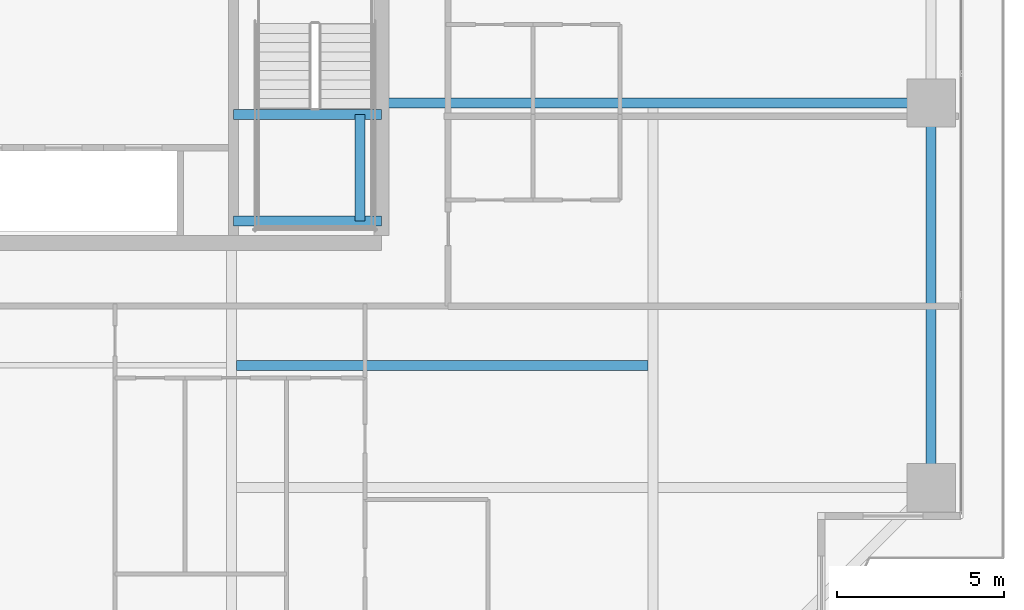
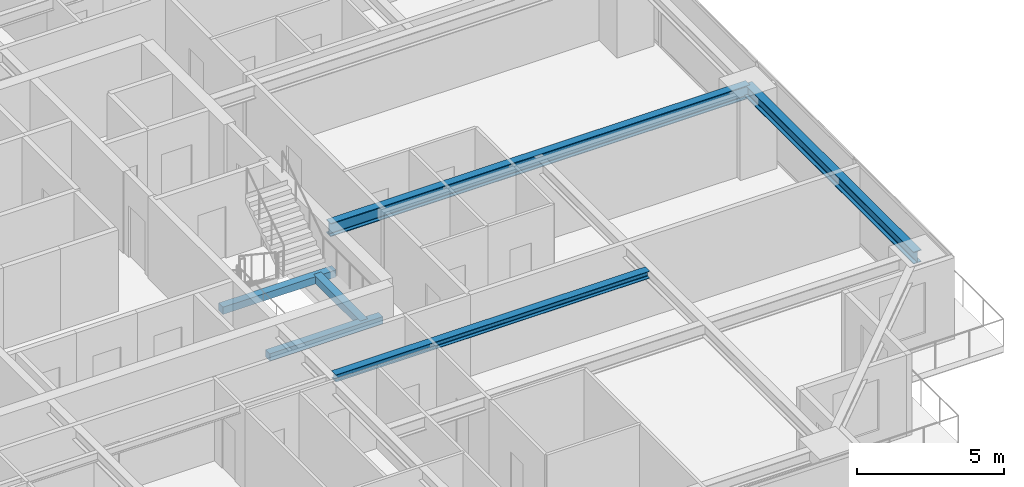
# One storey, part 14 of 40: 6 beams.
"""IFC4 building model written with IfcOpenShell, lengths in metres."""

from ifc_helpers import new_model, si_unit, direction, frame, origin, origin_2d, place, context, subcontext, project, spatial, rectangle, i_section, extrude, source, transform, mapped, material, material_profile, profile_set, type_object, element, save


model = new_model("IFC4")

# Units and contexts
model_context = context("Model", 3, precision=1e-05, world=origin(), true_north=direction((0.0, 1.0)))
body_context = subcontext(model_context, "Body", "Model", "MODEL_VIEW")
ifc_project = project(units=[si_unit("LENGTHUNIT", "METRE"), si_unit("AREAUNIT", "SQUARE_METRE"), si_unit("VOLUMEUNIT", "CUBIC_METRE"), si_unit("PLANEANGLEUNIT", "RADIAN"), si_unit("MASSUNIT", "GRAM", prefix="KILO")], contexts=[model_context])

# Site, building, storey
site_placement = place(None, origin())
site = spatial("IfcSite", under=ifc_project, at=site_placement, CompositionType="ELEMENT")
building_placement = place(site_placement, origin())
building = spatial("IfcBuilding", under=site, at=building_placement, Name="Serunith Strait Residences", CompositionType="ELEMENT")
storey_placement = place(building_placement, frame((0.0, 0.0, 105.449951171875)))
storey = spatial("IfcBuildingStorey", under=building, at=storey_placement, Name="L26", CompositionType="ELEMENT", Elevation=105.449951171875)

# Beams
ifc_material_1 = material(Name="Steel S355J2", Category="steel")
ifc_material_profile_1 = material_profile(ifc_material_1, i_section(OverallWidth=0.300048828125, OverallDepth=0.550048828125, WebThickness=0.014892578125, FlangeThickness=0.029052734375, FilletRadius=0.027099609375, at=origin_2d()), Name="HEB 550")
ifc_profile_set_1 = profile_set([ifc_material_profile_1], Name="Steel S355J2")
beam_type_1 = type_object("IfcBeamType", Name="BM-HEB550", PredefinedType="BEAM", material=ifc_profile_set_1)
shared_shape_1 = source(origin(), body_context, "Body", "SweptSolid", [
    extrude(i_section(OverallWidth=0.300048828125, OverallDepth=0.550048828125, WebThickness=0.014892578125, FlangeThickness=0.029052734375, FilletRadius=0.027099609375, at=origin_2d()), origin(), (0.0, 0.0, 1.0), 16.5),
])
beam_1_placement = place(storey_placement, frame((41.39990234375, 21.0, 3.112060546875), z_axis=(1.0, 0.0, 0.0), x_axis=(0.0, 1.0, 0.0)))
element("IfcBeam", 1, at=beam_1_placement, inside=storey, type_object=beam_type_1, Name="L26 Primary Floor Girder TC-E2", PredefinedType="BEAM", context=body_context, shape_type="MappedRepresentation", body=[
    mapped(shared_shape_1, transform((0.0, 0.0, 0.0), scale=1.0)),
])
ifc_material_profile_2 = material_profile(ifc_material_1, i_section(OverallWidth=0.300048828125, OverallDepth=0.5, WebThickness=0.014404296875, FlangeThickness=0.028076171875, FilletRadius=0.027099609375, at=origin_2d()), Name="HEB 500")
ifc_profile_set_2 = profile_set([ifc_material_profile_2], Name="Steel S355J2")
beam_type_2 = type_object("IfcBeamType", Name="BM-HEB500", PredefinedType="BEAM", material=ifc_profile_set_2)
shared_shape_2 = source(origin(), body_context, "Body", "SweptSolid", [
    extrude(i_section(OverallWidth=0.300048828125, OverallDepth=0.5, WebThickness=0.014404296875, FlangeThickness=0.028076171875, FilletRadius=0.027099609375, at=origin_2d()), origin(), (0.0, 0.0, 1.0), 11.550048828125),
])
beam_2_placement = place(storey_placement, frame((57.89990234375, 9.449951171875, 3.136962890625), z_axis=(0.0, 1.0, 0.0), x_axis=(-1.0, 0.0, 0.0)))
element("IfcBeam", 2, at=beam_2_placement, inside=storey, type_object=beam_type_2, Name="L26 Perimeter Ring Beam 05", PredefinedType="BEAM", context=body_context, shape_type="MappedRepresentation", body=[
    mapped(shared_shape_2, transform((0.0, 0.0, 0.0), scale=1.0)),
])
ifc_material_profile_3 = material_profile(ifc_material_1, i_section(OverallWidth=0.300048828125, OverallDepth=0.300048828125, WebThickness=0.010986328125, FlangeThickness=0.01904296875, FilletRadius=0.027099609375, at=origin_2d()), Name="HEB 300")
ifc_profile_set_3 = profile_set([ifc_material_profile_3], Name="Steel S355J2")
beam_type_3 = type_object("IfcBeamType", Name="BM-HEB300", PredefinedType="JOIST", material=ifc_profile_set_3)
shared_shape_3 = source(origin(), body_context, "Body", "SweptSolid", [
    extrude(i_section(OverallWidth=0.300048828125, OverallDepth=0.300048828125, WebThickness=0.010986328125, FlangeThickness=0.01904296875, FilletRadius=0.027099609375, at=origin_2d()), origin(), (0.0, 0.0, 1.0), 12.349853515625),
])
beam_3_placement = place(storey_placement, frame((37.050048828125, 13.125, 3.237060546875), z_axis=(1.0, 0.0, 0.0), x_axis=(0.0, 1.0, 0.0)))
element("IfcBeam", 3, at=beam_3_placement, inside=storey, type_object=beam_type_3, Name="L26 Composite Floor Joist 03", PredefinedType="JOIST", context=body_context, shape_type="MappedRepresentation", body=[
    mapped(shared_shape_3, transform((0.0, 0.0, 0.0), scale=1.0)),
])
ifc_material_2 = material(Name="Concrete C60/75", Category="concrete")
ifc_material_profile_4 = material_profile(ifc_material_2, rectangle(XDim=0.300048828125, YDim=0.300048828125, at=origin_2d()), Name="RC 300x300")
ifc_profile_set_4 = profile_set([ifc_material_profile_4], Name="Concrete C60/75")
beam_type_4 = type_object("IfcBeamType", Name="BM-LAND-300x300", PredefinedType="BEAM", material=ifc_profile_set_4)
shared_shape_4 = source(origin(), body_context, "Body", "SweptSolid", [
    extrude(rectangle(XDim=0.300048828125, YDim=0.300048828125, at=origin_2d()), origin(), (0.0, 0.0, 1.0), 3.199951171875),
])
beam_4_placement = place(storey_placement, frame((40.75, 17.449951171875, 1.525146484375), z_axis=(0.0, 1.0, 0.0), x_axis=(-1.0, 0.0, 0.0)))
element("IfcBeam", 4, at=beam_4_placement, inside=storey, type_object=beam_type_4, Name="L26 ST-2 Landing Transverse Tie Beam", PredefinedType="BEAM", context=body_context, shape_type="MappedRepresentation", body=[
    mapped(shared_shape_4, transform((0.0, 0.0, 0.0), scale=1.0)),
])
shared_shape_5 = source(origin(), body_context, "Body", "SweptSolid", [
    extrude(rectangle(XDim=0.300048828125, YDim=0.300048828125, at=origin_2d()), origin(), (0.0, 0.0, 1.0), 4.449951171875),
])
for number, where, z_axis, x_axis, name in (
    (5, (36.949951171875, 17.449951171875, 1.525146484375), (1.0, 0.0, 0.0), (0.0, 1.0, 0.0), "L26 ST-2 Landing Support Beam 1"),
    (6, (36.949951171875, 20.64990234375, 1.525146484375), (1.0, 0.0, 0.0), (0.0, 1.0, 0.0), "L26 ST-2 Landing Support Beam 2"),
):
    element("IfcBeam", number, at=place(storey_placement, frame(where, z_axis=z_axis, x_axis=x_axis)), inside=storey, type_object=beam_type_4, Name=name, PredefinedType="BEAM", context=body_context, shape_type="MappedRepresentation", body=[
        mapped(shared_shape_5, transform((0.0, 0.0, 0.0), scale=1.0)),
    ])

save(model, "model.ifc")
